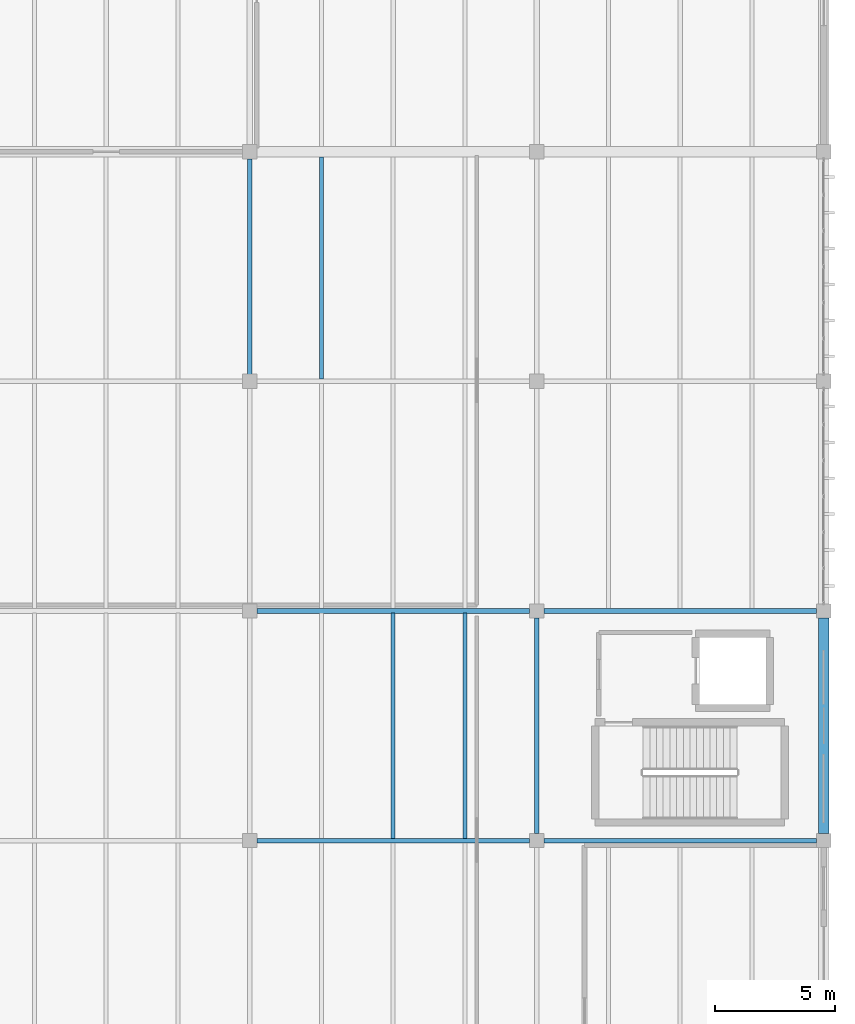
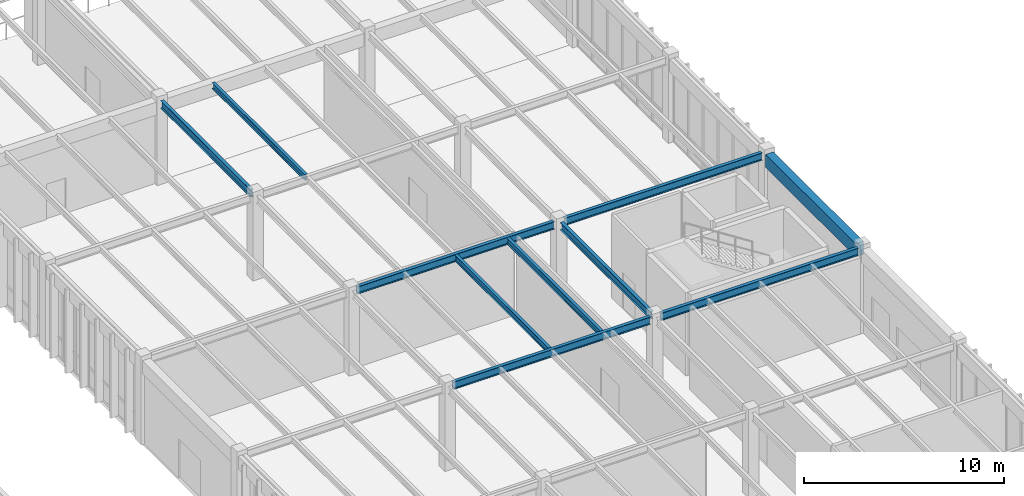
# One storey, part 118 of 188: 10 beams.
"""IFC4 building model written with IfcOpenShell, lengths in metres."""

from ifc_helpers import new_model, si_unit, direction, frame, origin, origin_2d, place, context, subcontext, project, spatial, rectangle, i_section, extrude, material, material_profile, profile_set, type_object, element, save


model = new_model("IFC4")

# Units and contexts
model_context = context("Model", 3, precision=1e-05, world=origin(), true_north=direction((0.0, 1.0)))
body_context = subcontext(model_context, "Body", "Model", "MODEL_VIEW")
ifc_project = project(units=[si_unit("LENGTHUNIT", "METRE"), si_unit("AREAUNIT", "SQUARE_METRE"), si_unit("VOLUMEUNIT", "CUBIC_METRE"), si_unit("PLANEANGLEUNIT", "RADIAN"), si_unit("MASSUNIT", "GRAM", prefix="KILO")], contexts=[model_context])

# Site, building, storey
site_placement = place(None, origin())
site = spatial("IfcSite", under=ifc_project, at=site_placement, CompositionType="ELEMENT")
building_placement = place(site_placement, origin())
building = spatial("IfcBuilding", under=site, at=building_placement, Name="Pandanus Reach Market Hall", CompositionType="ELEMENT")
storey_placement = place(building_placement, origin())
storey = spatial("IfcBuildingStorey", under=building, at=storey_placement, Name="L00", CompositionType="ELEMENT", Elevation=0.0)

# Beams
ifc_material_1 = material(Name="Concrete N40 (40 MPa)", Category="concrete")
ifc_material_profile_1 = material_profile(ifc_material_1, rectangle(XDim=0.449951171875, YDim=0.800048828125, at=origin_2d()), Name="RC450x800", Category="LoadBearing")
ifc_profile_set_1 = profile_set([ifc_material_profile_1], Name="Concrete N40 (40 MPa)")
beam_type_1 = type_object("IfcBeamType", Name="BM-RC450-E", PredefinedType="SPANDREL", material=ifc_profile_set_1)
beam_1_placement = place(storey_placement, frame((180.0, 67.498046875, 4.72509765625), z_axis=(0.0, 1.0, 0.0), x_axis=(-1.0, 0.0, 0.0)))
element("IfcBeam", 1, at=beam_1_placement, inside=storey, type_object=beam_type_1, Name="Framing beam BM-RC450-E L00.225", PredefinedType="SPANDREL", context=body_context, shape_type="SweptSolid", body=[
    extrude(rectangle(XDim=0.449951171875, YDim=0.800048828125, at=origin_2d()), origin(), (0.0, 0.0, 1.0), 9.00390625),
])
ifc_material_2 = material(Name="Steel Grade 350 (350 MPa)", Category="steel")
ifc_material_profile_2 = material_profile(ifc_material_2, i_section(OverallWidth=0.19091796875, OverallDepth=0.4599609375, WebThickness=0.010009765625, FlangeThickness=0.01611328125, at=origin_2d()), Name="460UB82.1", Category="LoadBearing")
ifc_profile_set_2 = profile_set([ifc_material_profile_2], Name="Steel Grade 350 (350 MPa)")
beam_type_2 = type_object("IfcBeamType", Name="BM-UB460H-I", PredefinedType="BEAM", material=ifc_profile_set_2)
for number, where, z_axis, x_axis, name in (
    (2, (156.298095703125, 67.199951171875, 4.89453125), (1.0, 0.0, 0.0), (0.0, 1.0, 0.0), "Framing beam BM-UB460H-I L00.177"),
    (3, (168.298095703125, 67.199951171875, 4.89453125), (1.0, 0.0, 0.0), (0.0, 1.0, 0.0), "Framing beam BM-UB460H-I L00.178"),
    (4, (156.298095703125, 76.800048828125, 4.89453125), (1.0, 0.0, 0.0), (0.0, 1.0, 0.0), "Framing beam BM-UB460H-I L00.180"),
    (5, (168.298095703125, 76.800048828125, 4.89453125), (1.0, 0.0, 0.0), (0.0, 1.0, 0.0), "Framing beam BM-UB460H-I L00.181"),
):
    element("IfcBeam", number, at=place(storey_placement, frame(where, z_axis=z_axis, x_axis=x_axis)), inside=storey, type_object=beam_type_2, Name=name, PredefinedType="BEAM", context=body_context, shape_type="SweptSolid", body=[
        extrude(i_section(OverallWidth=0.19091796875, OverallDepth=0.4599609375, WebThickness=0.010009765625, FlangeThickness=0.01611328125, at=origin_2d()), origin(), (0.0, 0.0, 1.0), 11.40380859375),
    ])
for number, where, z_axis, x_axis, name in (
    (6, (156.0, 86.697998046875, 4.89453125), (0.0, 1.0, 0.0), (-1.0, 0.0, 0.0), "Framing beam BM-UB460H-I L00.207"),
    (7, (168.0, 67.498046875, 4.89453125), (0.0, 1.0, 0.0), (-1.0, 0.0, 0.0), "Framing beam BM-UB460H-I L00.215"),
):
    element("IfcBeam", number, at=place(storey_placement, frame(where, z_axis=z_axis, x_axis=x_axis)), inside=storey, type_object=beam_type_2, Name=name, PredefinedType="BEAM", context=body_context, shape_type="SweptSolid", body=[
        extrude(i_section(OverallWidth=0.19091796875, OverallDepth=0.4599609375, WebThickness=0.010009765625, FlangeThickness=0.01611328125, at=origin_2d()), origin(), (0.0, 0.0, 1.0), 9.00390625),
    ])
ifc_material_profile_3 = material_profile(ifc_material_2, i_section(OverallWidth=0.172119140625, OverallDepth=0.35888671875, WebThickness=0.008056640625, FlangeThickness=0.012939453125, at=origin_2d()), Name="360UB56.7", Category="LoadBearing")
ifc_profile_set_3 = profile_set([ifc_material_profile_3], Name="Steel Grade 350 (350 MPa)")
beam_type_3 = type_object("IfcBeamType", Name="JS-UB360H-I", PredefinedType="JOIST", material=ifc_profile_set_3)
for number, where, z_axis, x_axis, name in (
    (8, (162.0, 67.29345703125, 4.945068359375), (0.0, 1.0, 0.0), (-1.0, 0.0, 0.0), "Secondary joist JS-UB360H-I L00.274"),
    (9, (165.0, 67.29345703125, 4.945068359375), (0.0, 1.0, 0.0), (-1.0, 0.0, 0.0), "Secondary joist JS-UB360H-I L00.275"),
):
    element("IfcBeam", number, at=place(storey_placement, frame(where, z_axis=z_axis, x_axis=x_axis)), inside=storey, type_object=beam_type_3, Name=name, PredefinedType="JOIST", context=body_context, shape_type="SweptSolid", body=[
        extrude(i_section(OverallWidth=0.172119140625, OverallDepth=0.35888671875, WebThickness=0.008056640625, FlangeThickness=0.012939453125, at=origin_2d()), origin(), (0.0, 0.0, 1.0), 9.4130859375),
    ])
beam_2_placement = place(storey_placement, frame((159.0, 86.493408203125, 4.945068359375), z_axis=(0.0, 1.0, 0.0), x_axis=(-1.0, 0.0, 0.0)))
element("IfcBeam", 10, at=beam_2_placement, inside=storey, type_object=beam_type_3, Name="Secondary joist JS-UB360H-I L00.279", PredefinedType="JOIST", context=body_context, shape_type="SweptSolid", body=[
    extrude(i_section(OverallWidth=0.172119140625, OverallDepth=0.35888671875, WebThickness=0.008056640625, FlangeThickness=0.012939453125, at=origin_2d()), origin(), (0.0, 0.0, 1.0), 9.28369140625),
])

save(model, "model.ifc")
